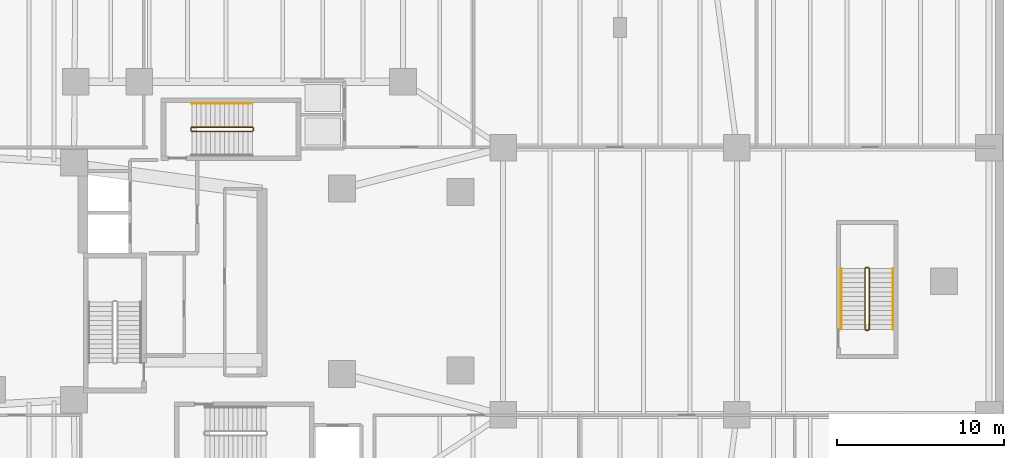
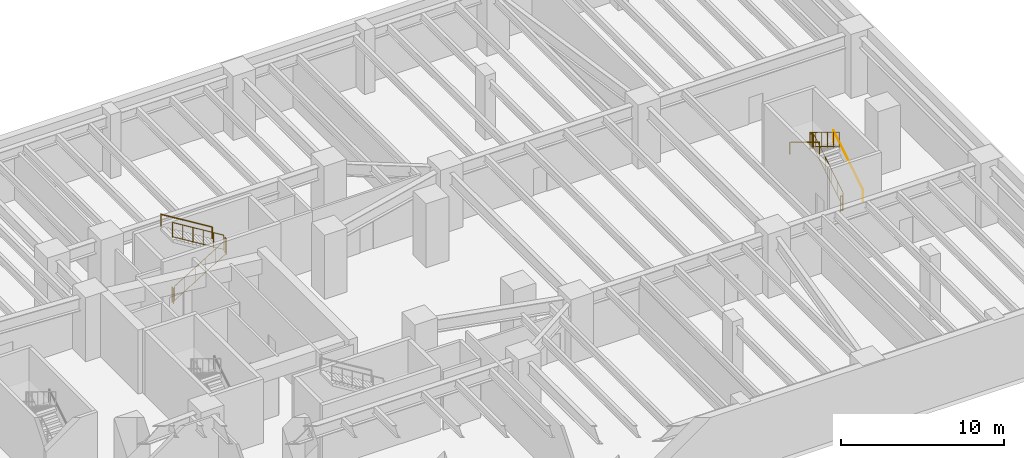
# One storey, part 8 of 9: 11 railings.
"""IFC4 building model written with IfcOpenShell, lengths in metres."""

from ifc_helpers import new_model, si_unit, direction, frame, origin, origin_2d, place, context, subcontext, project, spatial, circle, extrude, material, type_object, element, save


model = new_model("IFC4")

# Units and contexts
model_context = context("Model", 3, precision=1e-05, world=origin(), true_north=direction((0.0, 1.0)))
body_context = subcontext(model_context, "Body", "Model", "MODEL_VIEW")
ifc_project = project(units=[si_unit("LENGTHUNIT", "METRE"), si_unit("AREAUNIT", "SQUARE_METRE"), si_unit("VOLUMEUNIT", "CUBIC_METRE"), si_unit("PLANEANGLEUNIT", "RADIAN"), si_unit("MASSUNIT", "GRAM", prefix="KILO"), si_unit("THERMODYNAMICTEMPERATUREUNIT", "KELVIN"), si_unit("POWERUNIT", "WATT")], contexts=[model_context])

# Site, building, storey
site_placement = place(None, origin())
site = spatial("IfcSite", under=ifc_project, at=site_placement, CompositionType="ELEMENT")
building_placement = place(site_placement, origin())
building = spatial("IfcBuilding", under=site, at=building_placement, Name="Skarre Station Tower", CompositionType="ELEMENT")
storey_placement = place(building_placement, frame((0.0, 0.0, -4.800048828125)))
storey = spatial("IfcBuildingStorey", under=building, at=storey_placement, Name="B01", CompositionType="ELEMENT", Elevation=-4.800048828125)

# Railings
ifc_material = material(Name="Powder-Coated Tubular Steel", Category="steel")
railing_type_1 = type_object("IfcRailingType", Name="Painted Steel Ramp & Stair Handrail 920", PredefinedType="HANDRAIL", material=ifc_material)
railing_1_placement = place(storey_placement, frame((26.989990234375, 34.64990234375, 2.571533203125)))
element("IfcRailing", 1, at=railing_1_placement, inside=storey, type_object=railing_type_1, Name="B01 ST-3 stair handrail 2", PredefinedType="HANDRAIL", context=body_context, shape_type="SweptSolid", body=[
    extrude(circle(Radius=0.02392578125, at=origin_2d()), frame((0.0, 0.0, 0.8759765625), z_axis=(-0.852850264322, 0.0, 0.5221555579), x_axis=(0.0, -1.0, 0.0)), (0.0, 0.0, 1.0), 4.267822265625),
    extrude(circle(Radius=0.02099609375, at=origin_2d()), origin(), (0.0, 0.0, 1.0), 0.851806640625),
    extrude(circle(Radius=0.02099609375, at=origin_2d()), frame((-3.639892578125, 0.0, 2.228515625)), (0.0, 0.0, 1.0), 0.851806640625),
])
railing_2_placement = place(storey_placement, frame((65.35009765625, 21.1201171875, 0.17138671875)))
element("IfcRailing", 2, at=railing_2_placement, inside=storey, type_object=railing_type_1, Name="B01 ST-5 stair handrail 1", PredefinedType="HANDRAIL", context=body_context, shape_type="SweptSolid", body=[
    extrude(circle(Radius=0.02392578125, at=origin_2d()), frame((0.0, 0.0, 0.8759765625), z_axis=(0.0, 0.852824790078, 0.522197163366), x_axis=(-1.0, 0.0, 0.0)), (0.0, 0.0, 1.0), 4.26806640625),
    extrude(circle(Radius=0.02099609375, at=origin_2d()), origin(), (0.0, 0.0, 1.0), 0.851806640625),
    extrude(circle(Radius=0.02099609375, at=origin_2d()), frame((0.0, 3.639892578125, 2.228759765625)), (0.0, 0.0, 1.0), 0.851806640625),
])
railing_3_placement = place(storey_placement, frame((62.25, 24.760009765625, 2.571533203125)))
element("IfcRailing", 3, at=railing_3_placement, inside=storey, type_object=railing_type_1, Name="B01 ST-5 stair handrail 2", PredefinedType="HANDRAIL", context=body_context, shape_type="SweptSolid", body=[
    extrude(circle(Radius=0.02392578125, at=origin_2d()), frame((0.0, 0.0, 0.8759765625), z_axis=(0.0, -0.852850264322, 0.5221555579), x_axis=(1.0, 0.0, 0.0)), (0.0, 0.0, 1.0), 4.267822265625),
    extrude(circle(Radius=0.02099609375, at=origin_2d()), origin(), (0.0, 0.0, 1.0), 0.851806640625),
    extrude(circle(Radius=0.02099609375, at=origin_2d()), frame((0.0, -3.639892578125, 2.228515625)), (0.0, 0.0, 1.0), 0.851806640625),
])
railing_type_2 = type_object("IfcRailingType", Name="Painted Steel Stairwell Guardrail 1100", PredefinedType="GUARDRAIL", material=ifc_material)
railing_4_placement = place(storey_placement, frame((23.35009765625, 32.969970703125, 0.17138671875)))
element("IfcRailing", 4, at=railing_4_placement, inside=storey, type_object=railing_type_2, Name="B01 ST-3 stair guard 1", PredefinedType="GUARDRAIL", context=body_context, shape_type="SweptSolid", body=[
    extrude(circle(Radius=0.02392578125, at=origin_2d()), frame((0.0, 0.0, 1.1259765625), z_axis=(0.852824790078, 0.0, 0.522197163366), x_axis=(0.0, 1.0, 0.0)), (0.0, 0.0, 1.0), 4.26806640625),
    extrude(circle(Radius=0.02099609375, at=origin_2d()), frame((0.0, 0.0, 0.06005859375), z_axis=(0.852824790078, 0.0, 0.522197163366), x_axis=(0.0, 1.0, 0.0)), (0.0, 0.0, 1.0), 4.26806640625),
    extrude(circle(Radius=0.02099609375, at=origin_2d()), origin(), (0.0, 0.0, 1.0), 1.101806640625),
    extrude(circle(Radius=0.02099609375, at=origin_2d()), frame((0.72802734375, 0.0, 0.44580078125)), (0.0, 0.0, 1.0), 1.101806640625),
    extrude(circle(Radius=0.02099609375, at=origin_2d()), frame((1.4560546875, 0.0, 0.8916015625)), (0.0, 0.0, 1.0), 1.101806640625),
    extrude(circle(Radius=0.02099609375, at=origin_2d()), frame((2.183837890625, 0.0, 1.337158203125)), (0.0, 0.0, 1.0), 1.101806640625),
    extrude(circle(Radius=0.02099609375, at=origin_2d()), frame((2.911865234375, 0.0, 1.782958984375)), (0.0, 0.0, 1.0), 1.101806640625),
    extrude(circle(Radius=0.02099609375, at=origin_2d()), frame((3.639892578125, 0.0, 2.228759765625)), (0.0, 0.0, 1.0), 1.101806640625),
])
railing_5_placement = place(storey_placement, frame((27.0400390625, 33.02001953125, 2.400146484375)))
element("IfcRailing", 5, at=railing_5_placement, inside=storey, type_object=railing_type_2, Name="B01 ST-3 stair guard 2", PredefinedType="GUARDRAIL", context=body_context, shape_type="SweptSolid", body=[
    extrude(circle(Radius=0.02392578125, at=origin_2d()), frame((0.0, 0.0, 1.1259765625), z_axis=(0.0, 1.0, 0.0), x_axis=(-1.0, 0.0, 0.0)), (0.0, 0.0, 1.0), 0.159912109375),
    extrude(circle(Radius=0.02099609375, at=origin_2d()), frame((0.0, 0.0, 0.06005859375), z_axis=(0.0, 1.0, 0.0), x_axis=(-1.0, 0.0, 0.0)), (0.0, 0.0, 1.0), 0.159912109375),
    extrude(circle(Radius=0.02099609375, at=origin_2d()), origin(), (0.0, 0.0, 1.0), 1.101806640625),
    extrude(circle(Radius=0.02099609375, at=origin_2d()), frame((0.0, 0.159912109375, 0.0)), (0.0, 0.0, 1.0), 1.101806640625),
])
railing_6_placement = place(storey_placement, frame((26.989990234375, 33.22998046875, 2.571533203125)))
element("IfcRailing", 6, at=railing_6_placement, inside=storey, type_object=railing_type_2, Name="B01 ST-3 stair guard 3", PredefinedType="GUARDRAIL", context=body_context, shape_type="SweptSolid", body=[
    extrude(circle(Radius=0.02392578125, at=origin_2d()), frame((0.0, 0.0, 1.1259765625), z_axis=(-0.852850264322, 0.0, 0.5221555579), x_axis=(0.0, -1.0, 0.0)), (0.0, 0.0, 1.0), 4.267822265625),
    extrude(circle(Radius=0.02099609375, at=origin_2d()), frame((0.0, 0.0, 0.06005859375), z_axis=(-0.852850264322, 0.0, 0.5221555579), x_axis=(0.0, -1.0, 0.0)), (0.0, 0.0, 1.0), 4.267822265625),
    extrude(circle(Radius=0.02099609375, at=origin_2d()), origin(), (0.0, 0.0, 1.0), 1.101806640625),
    extrude(circle(Radius=0.02099609375, at=origin_2d()), frame((-0.72802734375, 0.0, 0.44580078125)), (0.0, 0.0, 1.0), 1.101806640625),
    extrude(circle(Radius=0.02099609375, at=origin_2d()), frame((-1.4560546875, 0.0, 0.891357421875)), (0.0, 0.0, 1.0), 1.101806640625),
    extrude(circle(Radius=0.02099609375, at=origin_2d()), frame((-2.183837890625, 0.0, 1.337158203125)), (0.0, 0.0, 1.0), 1.101806640625),
    extrude(circle(Radius=0.02099609375, at=origin_2d()), frame((-2.911865234375, 0.0, 1.78271484375)), (0.0, 0.0, 1.0), 1.101806640625),
    extrude(circle(Radius=0.02099609375, at=origin_2d()), frame((-3.639892578125, 0.0, 2.228515625)), (0.0, 0.0, 1.0), 1.101806640625),
])
railing_7_placement = place(storey_placement, frame((23.300048828125, 33.02001953125, 0.0)))
element("IfcRailing", 7, at=railing_7_placement, inside=storey, type_object=railing_type_2, Name="B01 ST-3 stair guard 4", PredefinedType="GUARDRAIL", context=body_context, shape_type="SweptSolid", body=[
    extrude(circle(Radius=0.02392578125, at=origin_2d()), frame((0.0, 0.0, 1.1259765625), z_axis=(0.0, 1.0, 0.0), x_axis=(-1.0, 0.0, 0.0)), (0.0, 0.0, 1.0), 0.159912109375),
    extrude(circle(Radius=0.02099609375, at=origin_2d()), frame((0.0, 0.0, 0.06005859375), z_axis=(0.0, 1.0, 0.0), x_axis=(-1.0, 0.0, 0.0)), (0.0, 0.0, 1.0), 0.159912109375),
    extrude(circle(Radius=0.02099609375, at=origin_2d()), origin(), (0.0, 0.0, 1.0), 1.101806640625),
    extrude(circle(Radius=0.02099609375, at=origin_2d()), frame((0.0, 0.159912109375, 0.0)), (0.0, 0.0, 1.0), 1.101806640625),
])
railing_8_placement = place(storey_placement, frame((63.929931640625, 21.1201171875, 0.17138671875)))
element("IfcRailing", 8, at=railing_8_placement, inside=storey, type_object=railing_type_2, Name="B01 ST-5 stair guard 1", PredefinedType="GUARDRAIL", context=body_context, shape_type="SweptSolid", body=[
    extrude(circle(Radius=0.02392578125, at=origin_2d()), frame((0.0, 0.0, 1.1259765625), z_axis=(0.0, 0.852824790078, 0.522197163366), x_axis=(-1.0, 0.0, 0.0)), (0.0, 0.0, 1.0), 4.26806640625),
    extrude(circle(Radius=0.02099609375, at=origin_2d()), frame((0.0, 0.0, 0.06005859375), z_axis=(0.0, 0.852824790078, 0.522197163366), x_axis=(-1.0, 0.0, 0.0)), (0.0, 0.0, 1.0), 4.26806640625),
    extrude(circle(Radius=0.02099609375, at=origin_2d()), origin(), (0.0, 0.0, 1.0), 1.101806640625),
    extrude(circle(Radius=0.02099609375, at=origin_2d()), frame((0.0, 0.72802734375, 0.44580078125)), (0.0, 0.0, 1.0), 1.101806640625),
    extrude(circle(Radius=0.02099609375, at=origin_2d()), frame((0.0, 1.4560546875, 0.8916015625)), (0.0, 0.0, 1.0), 1.101806640625),
    extrude(circle(Radius=0.02099609375, at=origin_2d()), frame((0.0, 2.183837890625, 1.337158203125)), (0.0, 0.0, 1.0), 1.101806640625),
    extrude(circle(Radius=0.02099609375, at=origin_2d()), frame((0.0, 2.911865234375, 1.782958984375)), (0.0, 0.0, 1.0), 1.101806640625),
    extrude(circle(Radius=0.02099609375, at=origin_2d()), frame((0.0, 3.639892578125, 2.228759765625)), (0.0, 0.0, 1.0), 1.101806640625),
])
railing_9_placement = place(storey_placement, frame((63.8798828125, 24.81005859375, 2.400146484375)))
element("IfcRailing", 9, at=railing_9_placement, inside=storey, type_object=railing_type_2, Name="B01 ST-5 stair guard 2", PredefinedType="GUARDRAIL", context=body_context, shape_type="SweptSolid", body=[
    extrude(circle(Radius=0.02392578125, at=origin_2d()), frame((0.0, 0.0, 1.1259765625), z_axis=(-1.0, 0.0, 0.0), x_axis=(0.0, -1.0, 0.0)), (0.0, 0.0, 1.0), 0.159912109375),
    extrude(circle(Radius=0.02099609375, at=origin_2d()), frame((0.0, 0.0, 0.06005859375), z_axis=(-1.0, 0.0, 0.0), x_axis=(0.0, -1.0, 0.0)), (0.0, 0.0, 1.0), 0.159912109375),
    extrude(circle(Radius=0.02099609375, at=origin_2d()), origin(), (0.0, 0.0, 1.0), 1.101806640625),
    extrude(circle(Radius=0.02099609375, at=origin_2d()), frame((-0.159912109375, 0.0, 0.0)), (0.0, 0.0, 1.0), 1.101806640625),
])
railing_10_placement = place(storey_placement, frame((63.669921875, 24.760009765625, 2.571533203125)))
element("IfcRailing", 10, at=railing_10_placement, inside=storey, type_object=railing_type_2, Name="B01 ST-5 stair guard 3", PredefinedType="GUARDRAIL", context=body_context, shape_type="SweptSolid", body=[
    extrude(circle(Radius=0.02392578125, at=origin_2d()), frame((0.0, 0.0, 1.1259765625), z_axis=(0.0, -0.852850264322, 0.5221555579), x_axis=(1.0, 0.0, 0.0)), (0.0, 0.0, 1.0), 4.267822265625),
    extrude(circle(Radius=0.02099609375, at=origin_2d()), frame((0.0, 0.0, 0.06005859375), z_axis=(0.0, -0.852850264322, 0.5221555579), x_axis=(1.0, 0.0, 0.0)), (0.0, 0.0, 1.0), 4.267822265625),
    extrude(circle(Radius=0.02099609375, at=origin_2d()), origin(), (0.0, 0.0, 1.0), 1.101806640625),
    extrude(circle(Radius=0.02099609375, at=origin_2d()), frame((0.0, -0.72802734375, 0.44580078125)), (0.0, 0.0, 1.0), 1.101806640625),
    extrude(circle(Radius=0.02099609375, at=origin_2d()), frame((0.0, -1.4560546875, 0.891357421875)), (0.0, 0.0, 1.0), 1.101806640625),
    extrude(circle(Radius=0.02099609375, at=origin_2d()), frame((0.0, -2.183837890625, 1.337158203125)), (0.0, 0.0, 1.0), 1.101806640625),
    extrude(circle(Radius=0.02099609375, at=origin_2d()), frame((0.0, -2.911865234375, 1.78271484375)), (0.0, 0.0, 1.0), 1.101806640625),
    extrude(circle(Radius=0.02099609375, at=origin_2d()), frame((0.0, -3.639892578125, 2.228515625)), (0.0, 0.0, 1.0), 1.101806640625),
])
railing_11_placement = place(storey_placement, frame((63.8798828125, 21.070068359375, 0.0)))
element("IfcRailing", 11, at=railing_11_placement, inside=storey, type_object=railing_type_2, Name="B01 ST-5 stair guard 4", PredefinedType="GUARDRAIL", context=body_context, shape_type="SweptSolid", body=[
    extrude(circle(Radius=0.02392578125, at=origin_2d()), frame((0.0, 0.0, 1.1259765625), z_axis=(-1.0, 0.0, 0.0), x_axis=(0.0, -1.0, 0.0)), (0.0, 0.0, 1.0), 0.159912109375),
    extrude(circle(Radius=0.02099609375, at=origin_2d()), frame((0.0, 0.0, 0.06005859375), z_axis=(-1.0, 0.0, 0.0), x_axis=(0.0, -1.0, 0.0)), (0.0, 0.0, 1.0), 0.159912109375),
    extrude(circle(Radius=0.02099609375, at=origin_2d()), origin(), (0.0, 0.0, 1.0), 1.101806640625),
    extrude(circle(Radius=0.02099609375, at=origin_2d()), frame((-0.159912109375, 0.0, 0.0)), (0.0, 0.0, 1.0), 1.101806640625),
])

save(model, "model.ifc")
